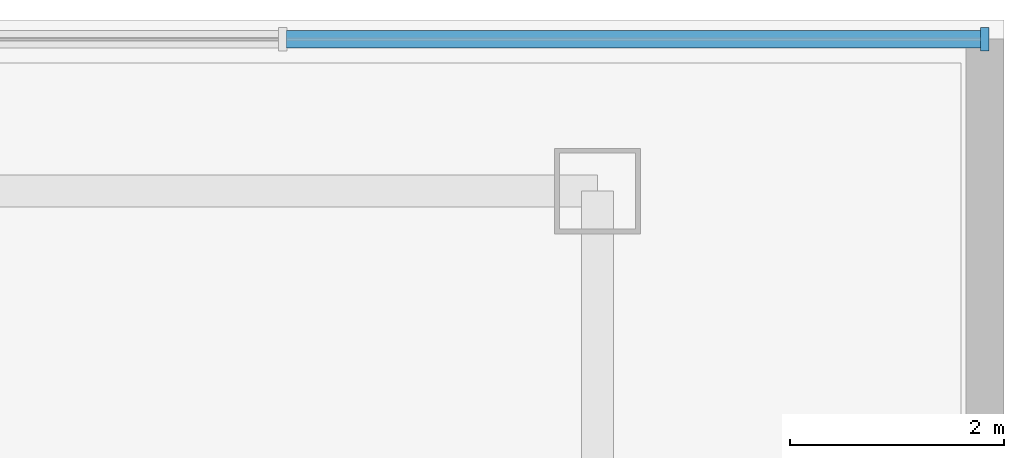
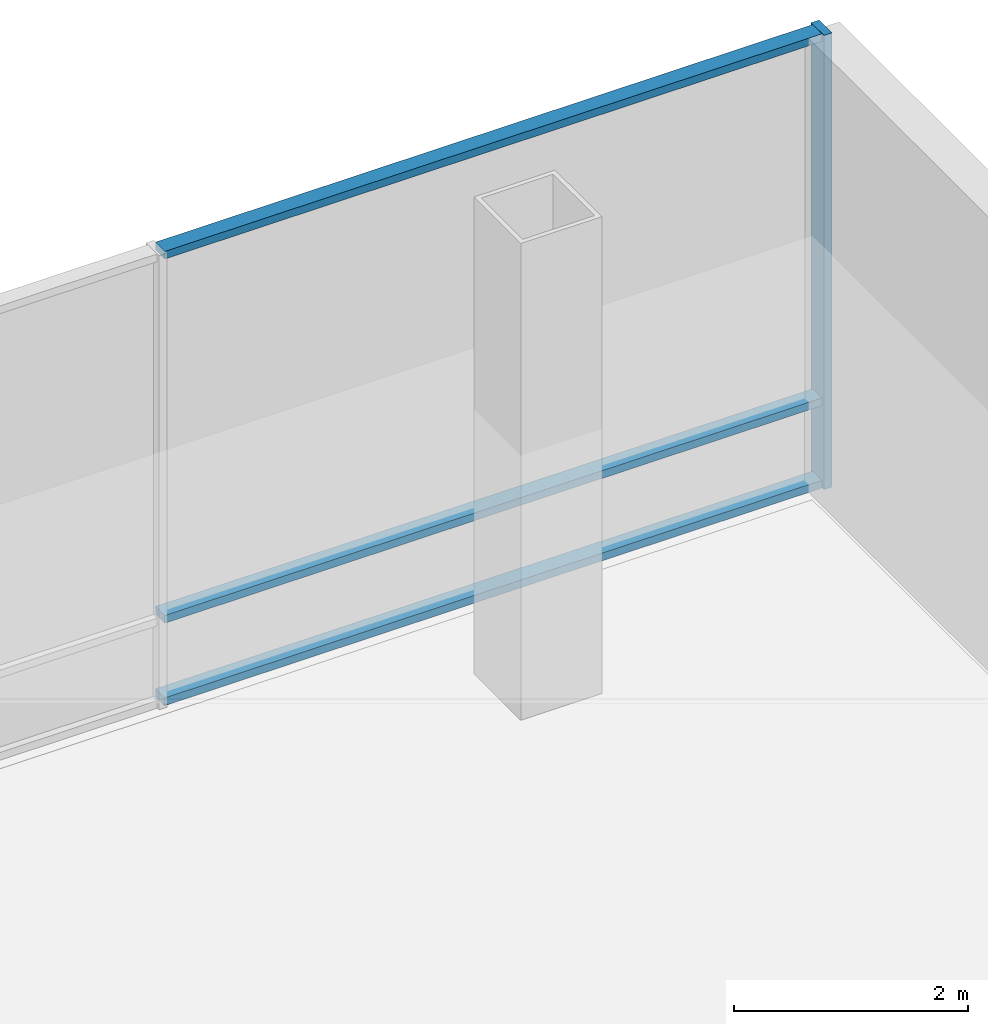
# One storey, part 8 of 20: 4 members, 1 element without a shape of its own.
"""IFC4 building model written with IfcOpenShell, lengths in metres."""

from ifc_helpers import new_model, si_unit, direction, frame, origin, origin_2d, place, context, subcontext, project, spatial, rectangle, extrude, material, layer, layer_set, type_object, element, aggregate, save


model = new_model("IFC4")

# Units and contexts
model_context = context("Model", 3, precision=1e-05, world=origin(), true_north=direction((0.0, 1.0)))
body_context = subcontext(model_context, "Body", "Model", "MODEL_VIEW")
ifc_project = project(units=[si_unit("LENGTHUNIT", "METRE"), si_unit("AREAUNIT", "SQUARE_METRE"), si_unit("VOLUMEUNIT", "CUBIC_METRE"), si_unit("PLANEANGLEUNIT", "RADIAN"), si_unit("MASSUNIT", "GRAM", prefix="KILO")], contexts=[model_context])

# Site, building, storey
site_placement = place(None, origin())
site = spatial("IfcSite", under=ifc_project, at=site_placement, CompositionType="ELEMENT")
building_placement = place(site_placement, origin())
building = spatial("IfcBuilding", under=site, at=building_placement, Name="Tharavind Bronze Gate", CompositionType="ELEMENT")
storey_placement = place(building_placement, frame((0.0, 0.0, 16.5)))
storey = spatial("IfcBuildingStorey", under=building, at=storey_placement, Name="L03", CompositionType="ELEMENT", Elevation=16.5)

# Curtain wall, members
ifc_material = material(Name="Anodised Bronze Aluminium", Category="aluminium")
ifc_layer = layer(ifc_material, 0.219970703125)
ifc_layer_set = layer_set([ifc_layer], Name="Anodised Bronze Aluminium")
curtain_wall_type = type_object("IfcCurtainWallType", Name="UNITISED CURTAIN WALL PODIUM", PredefinedType="USERDEFINED", material=ifc_layer_set)
curtain_wall_placement = place(storey_placement, origin())
curtain_wall = element("IfcCurtainWall", 1, at=curtain_wall_placement, inside=storey, type_object=curtain_wall_type, Name="L03 unitised curtain wall podium CW-L03-S2", ObjectType="UNITISED CURTAIN WALL", PredefinedType="USERDEFINED")
member_type_1 = type_object("IfcMemberType", Name="CURTAIN WALL MULLION 80X220", PredefinedType="MULLION", material=ifc_material)
member_1_placement = place(storey_placement, frame((33.820068359375, 26.6201171875, 0.0), z_axis=(0.0, 0.0, 1.0), x_axis=(-1.0, 0.0, 0.0)))
member_1 = element("IfcMember", 2, at=member_1_placement, type_object=member_type_1, Name="CW-L03-S2 mullion 1", PredefinedType="MULLION", context=body_context, shape_type="SweptSolid", body=[
    extrude(rectangle(XDim=0.080078125, YDim=0.219970703125, at=origin_2d()), origin(), (0.0, 0.0, 1.0), 4.739990234375),
])
member_type_2 = type_object("IfcMemberType", Name="CURTAIN WALL TRANSOM 80X160", PredefinedType="USERDEFINED", material=ifc_material)
member_2_placement = place(storey_placement, frame((30.5380859375, 26.6201171875, 0.0), z_axis=(0.0, 0.0, 1.0), x_axis=(-1.0, 0.0, 0.0)))
member_2 = element("IfcMember", 3, at=member_2_placement, type_object=member_type_2, Name="CW-L03-S2 transom TB1", ObjectType="TRANSOM", PredefinedType="USERDEFINED", context=body_context, shape_type="SweptSolid", body=[
    extrude(rectangle(XDim=6.49609375, YDim=0.159912109375, at=origin_2d()), origin(), (0.0, 0.0, 1.0), 0.080078125),
])
member_3_placement = place(storey_placement, frame((30.5380859375, 26.6201171875, 0.85986328125), z_axis=(0.0, 0.0, 1.0), x_axis=(-1.0, 0.0, 0.0)))
member_3 = element("IfcMember", 4, at=member_3_placement, type_object=member_type_2, Name="CW-L03-S2 transom TS1", ObjectType="TRANSOM", PredefinedType="USERDEFINED", context=body_context, shape_type="SweptSolid", body=[
    extrude(rectangle(XDim=6.49609375, YDim=0.159912109375, at=origin_2d()), origin(), (0.0, 0.0, 1.0), 0.080078125),
])
member_4_placement = place(storey_placement, frame((30.5380859375, 26.6201171875, 4.659912109375), z_axis=(0.0, 0.0, 1.0), x_axis=(-1.0, 0.0, 0.0)))
member_4 = element("IfcMember", 5, at=member_4_placement, type_object=member_type_2, Name="CW-L03-S2 transom TT1", ObjectType="TRANSOM", PredefinedType="USERDEFINED", context=body_context, shape_type="SweptSolid", body=[
    extrude(rectangle(XDim=6.49609375, YDim=0.159912109375, at=origin_2d()), origin(), (0.0, 0.0, 1.0), 0.080078125),
])
aggregate(curtain_wall, [member_1, member_2, member_3, member_4])

save(model, "model.ifc")
